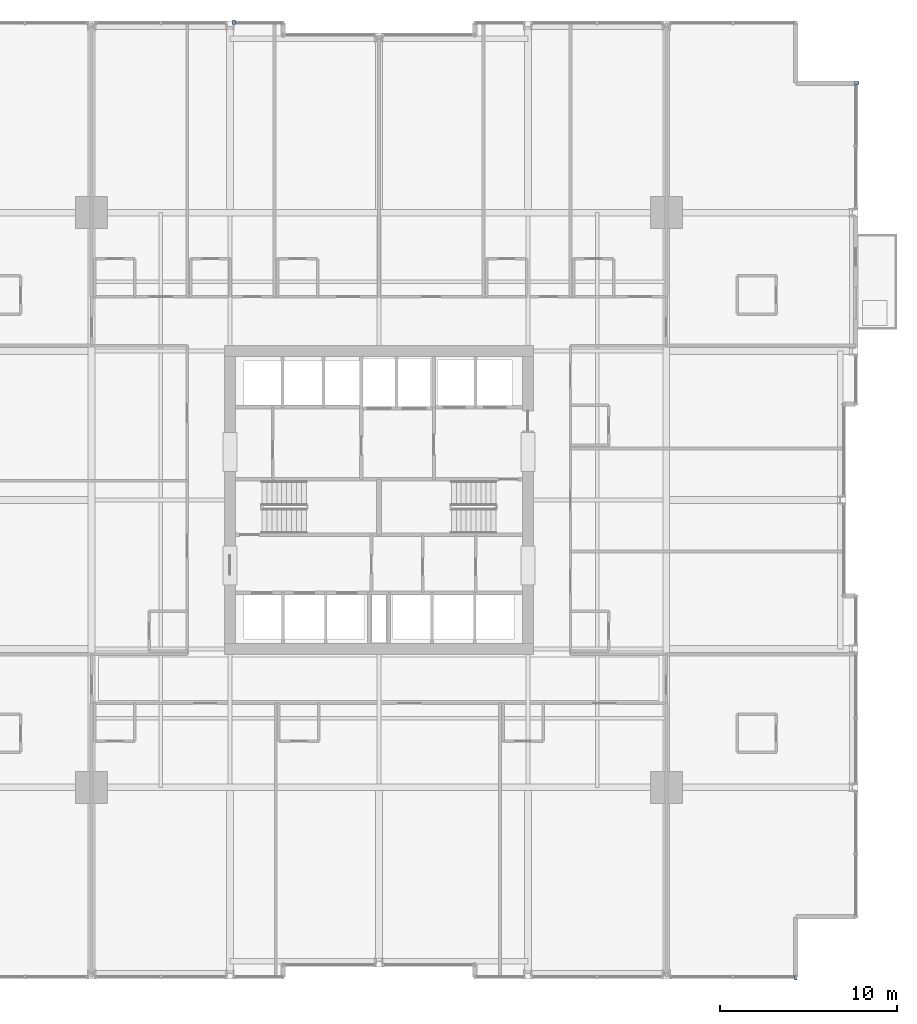
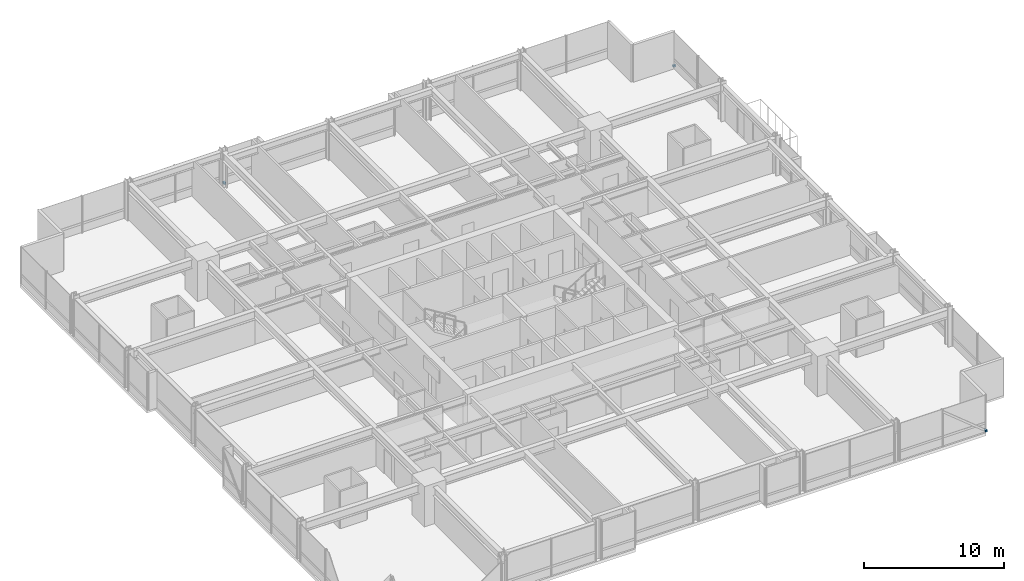
# One storey, part 34 of 38: 3 discrete accessories.
"""IFC4 building model written with IfcOpenShell, lengths in metres."""

from ifc_helpers import new_model, si_unit, direction, frame, origin, origin_2d, place, context, subcontext, project, spatial, rectangle, extrude, material, type_object, element, save


model = new_model("IFC4")

# Units and contexts
model_context = context("Model", 3, precision=1e-05, world=origin(), true_north=direction((0.0, 1.0)))
body_context = subcontext(model_context, "Body", "Model", "MODEL_VIEW")
ifc_project = project(units=[si_unit("LENGTHUNIT", "METRE"), si_unit("AREAUNIT", "SQUARE_METRE"), si_unit("VOLUMEUNIT", "CUBIC_METRE"), si_unit("PLANEANGLEUNIT", "RADIAN"), si_unit("MASSUNIT", "GRAM", prefix="KILO")], contexts=[model_context])

# Site, building, storey
site_placement = place(None, origin())
site = spatial("IfcSite", under=ifc_project, at=site_placement, CompositionType="ELEMENT")
building_placement = place(site_placement, origin())
building = spatial("IfcBuilding", under=site, at=building_placement, Name="Drelvath Grand Hotel", CompositionType="ELEMENT")
storey_placement = place(building_placement, frame((0.0, 0.0, 68.199951171875)))
storey = spatial("IfcBuildingStorey", under=building, at=storey_placement, Name="L16", CompositionType="ELEMENT", Elevation=68.199951171875)

# Discrete accessories
ifc_material = material(Name="Stainless Steel Grade 316", Category="steel")
discrete_accessory_type = type_object("IfcDiscreteAccessoryType", Name="Curtain Wall Fin Mounting Bracket Cleat", PredefinedType="BRACKET", material=ifc_material)
for number, where, z_axis, x_axis, name in (
    (1, (26.93994140625, 50.5, 0.10009765625), (0.0, 0.0, 1.0), (0.0, -1.0, 0.0), "L16 Fin Mounting Bracket CW02-L16-EN3-1"),
    (2, (-8.1708984375, 53.93994140625, 0.10009765625), (0.0, 0.0, 1.0), (1.0, 0.0, 0.0), "L16 Fin Mounting Bracket CW02-L16-NW3-1"),
    (3, (23.5, 0.06005859375, 0.10009765625), (0.0, 0.0, 1.0), (-1.0, 0.0, 0.0), "L16 Fin Mounting Bracket CW02-L16-SE3-1"),
):
    element("IfcDiscreteAccessory", number, at=place(storey_placement, frame(where, z_axis=z_axis, x_axis=x_axis)), inside=storey, type_object=discrete_accessory_type, Name=name, PredefinedType="BRACKET", context=body_context, shape_type="SweptSolid", body=[
        extrude(rectangle(XDim=0.159912109375, YDim=0.239990234375, at=origin_2d()), origin(), (0.0, 0.0, 1.0), 0.159912109375),
    ])

save(model, "model.ifc")
